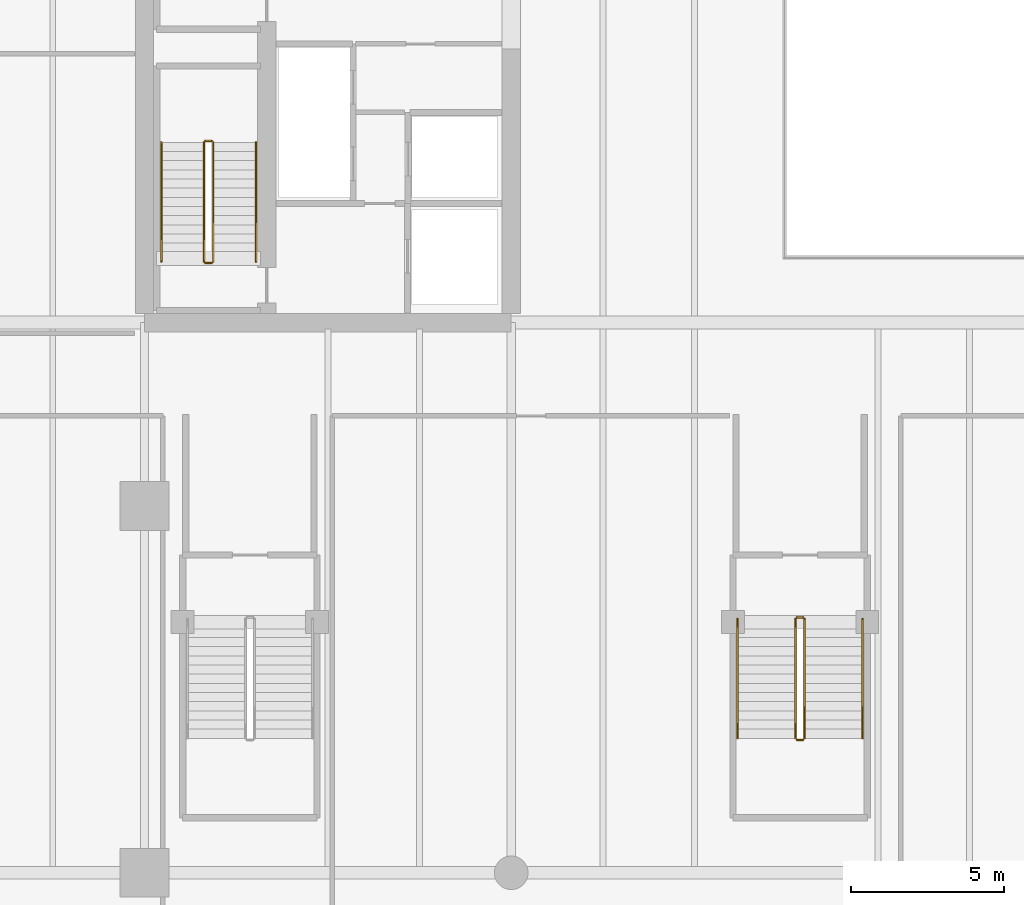
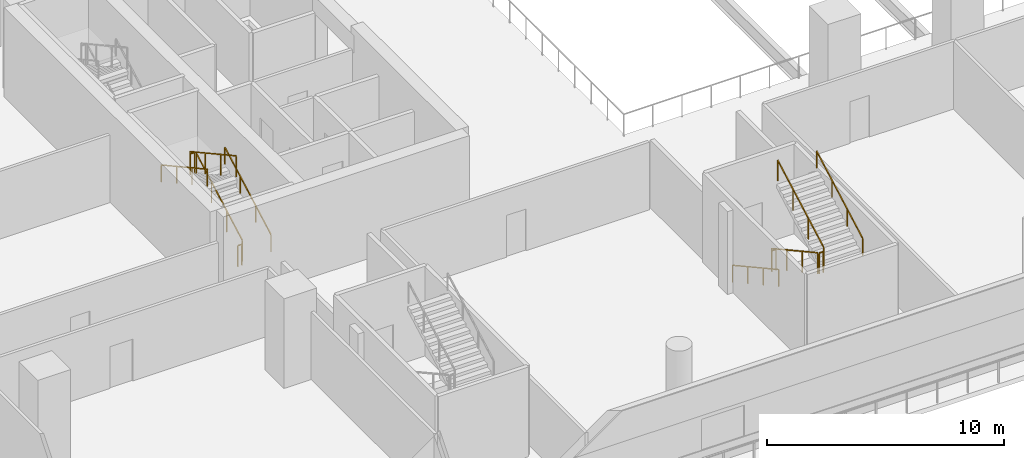
# One storey, part 15 of 27: 12 railings.
"""IFC4 building model written with IfcOpenShell, lengths in metres."""

from ifc_helpers import new_model, si_unit, direction, frame, origin, place, context, subcontext, project, spatial, rectangle, extrude, material, type_object, element, save


model = new_model("IFC4")

# Units and contexts
model_context = context("Model", 3, precision=1e-05, world=origin(), true_north=direction((0.0, 1.0)))
body_context = subcontext(model_context, "Body", "Model", "MODEL_VIEW")
ifc_project = project(units=[si_unit("LENGTHUNIT", "METRE"), si_unit("AREAUNIT", "SQUARE_METRE"), si_unit("VOLUMEUNIT", "CUBIC_METRE"), si_unit("PLANEANGLEUNIT", "RADIAN"), si_unit("MASSUNIT", "GRAM", prefix="KILO")], contexts=[model_context])

# Site, building, storey
site_placement = place(None, origin())
site = spatial("IfcSite", under=ifc_project, at=site_placement, CompositionType="ELEMENT")
building_placement = place(site_placement, origin())
building = spatial("IfcBuilding", under=site, at=building_placement, Name="Tanjung Sevakor Pilgrim Tower", CompositionType="ELEMENT")
storey_placement = place(building_placement, frame((0.0, 0.0, 19.469970703125)))
storey = spatial("IfcBuildingStorey", under=building, at=storey_placement, Name="L05", CompositionType="ELEMENT", Elevation=19.469970703125)

# Railings
ifc_material_1 = material(Name="Steel S355J2", Category="steel")
railing_type_1 = type_object("IfcRailingType", Name="RL-STAIR-GUARD", PredefinedType="GUARDRAIL", material=ifc_material_1)
railing_1_placement = place(storey_placement, frame((26.25, 26.60009765625, 0.1650390625)))
element("IfcRailing", 1, at=railing_1_placement, inside=storey, type_object=railing_type_1, Name="L05 TS-W1 stair guard 1", PredefinedType="GUARDRAIL", context=body_context, shape_type="SweptSolid", body=[
    extrude(rectangle(XDim=0.0479, YDim=0.0479), frame((0.0, 0.0, 1.076171875), z_axis=(0.0, 0.876208959939, 0.481931383625), x_axis=(-1.0, 0.0, 0.0)), (0.0, 0.0, 1.0), 4.450927734375),
    extrude(rectangle(XDim=0.042, YDim=0.042), origin(), (0.0, 0.0, 1.0), 1.052001953125),
    extrude(rectangle(XDim=0.042, YDim=0.042), frame((0.0, 1.300048828125, 0.715087890625)), (0.0, 0.0, 1.0), 1.052001953125),
    extrude(rectangle(XDim=0.042, YDim=0.042), frame((0.0, 2.599853515625, 1.429931640625)), (0.0, 0.0, 1.0), 1.052001953125),
    extrude(rectangle(XDim=0.042, YDim=0.042), frame((0.0, 3.89990234375, 2.14501953125)), (0.0, 0.0, 1.0), 1.052001953125),
])
railing_2_placement = place(storey_placement, frame((26.199951171875, 30.550048828125, 2.31005859375)))
element("IfcRailing", 2, at=railing_2_placement, inside=storey, type_object=railing_type_1, Name="L05 TS-W1 stair guard 2", PredefinedType="GUARDRAIL", context=body_context, shape_type="SweptSolid", body=[
    extrude(rectangle(XDim=0.0479, YDim=0.0479), frame((0.0, 0.0, 1.076171875), z_axis=(-1.0, 0.0, 0.0), x_axis=(0.0, -1.0, 0.0)), (0.0, 0.0, 1.0), 0.199951171875),
    extrude(rectangle(XDim=0.042, YDim=0.042), origin(), (0.0, 0.0, 1.0), 1.052001953125),
    extrude(rectangle(XDim=0.042, YDim=0.042), frame((-0.199951171875, 0.0, 0.0)), (0.0, 0.0, 1.0), 1.052001953125),
])
railing_3_placement = place(storey_placement, frame((25.949951171875, 30.5, 2.47509765625)))
element("IfcRailing", 3, at=railing_3_placement, inside=storey, type_object=railing_type_1, Name="L05 TS-W1 stair guard 3", PredefinedType="GUARDRAIL", context=body_context, shape_type="SweptSolid", body=[
    extrude(rectangle(XDim=0.0479, YDim=0.0479), frame((0.0, 0.0, 1.076171875), z_axis=(0.0, -0.876208959939, 0.481931383625), x_axis=(1.0, 0.0, 0.0)), (0.0, 0.0, 1.0), 4.450927734375),
    extrude(rectangle(XDim=0.042, YDim=0.042), origin(), (0.0, 0.0, 1.0), 1.052001953125),
    extrude(rectangle(XDim=0.042, YDim=0.042), frame((0.0, -1.300048828125, 0.715087890625)), (0.0, 0.0, 1.0), 1.052001953125),
    extrude(rectangle(XDim=0.042, YDim=0.042), frame((0.0, -2.599853515625, 1.429931640625)), (0.0, 0.0, 1.0), 1.052001953125),
    extrude(rectangle(XDim=0.042, YDim=0.042), frame((0.0, -3.89990234375, 2.14501953125)), (0.0, 0.0, 1.0), 1.052001953125),
])
railing_4_placement = place(storey_placement, frame((26.199951171875, 26.550048828125, 0.0)))
element("IfcRailing", 4, at=railing_4_placement, inside=storey, type_object=railing_type_1, Name="L05 TS-W1 stair guard 4", PredefinedType="GUARDRAIL", context=body_context, shape_type="SweptSolid", body=[
    extrude(rectangle(XDim=0.0479, YDim=0.0479), frame((0.0, 0.0, 1.076171875), z_axis=(-1.0, 0.0, 0.0), x_axis=(0.0, -1.0, 0.0)), (0.0, 0.0, 1.0), 0.199951171875),
    extrude(rectangle(XDim=0.042, YDim=0.042), origin(), (0.0, 0.0, 1.0), 1.052001953125),
    extrude(rectangle(XDim=0.042, YDim=0.042), frame((-0.199951171875, 0.0, 0.0)), (0.0, 0.0, 1.0), 1.052001953125),
])
railing_5_placement = place(storey_placement, frame((45.300048828125, 14.89990234375, 0.1650390625)))
element("IfcRailing", 5, at=railing_5_placement, inside=storey, type_object=railing_type_1, Name="L05 PS-3 stair guard 1", PredefinedType="GUARDRAIL", context=body_context, shape_type="SweptSolid", body=[
    extrude(rectangle(XDim=0.0479, YDim=0.0479), frame((0.0, 0.0, 1.076171875), z_axis=(0.0, -0.876208959939, 0.481931383625), x_axis=(1.0, 0.0, 0.0)), (0.0, 0.0, 1.0), 4.450927734375),
    extrude(rectangle(XDim=0.042, YDim=0.042), origin(), (0.0, 0.0, 1.0), 1.052001953125),
    extrude(rectangle(XDim=0.042, YDim=0.042), frame((0.0, -1.300048828125, 0.715087890625)), (0.0, 0.0, 1.0), 1.052001953125),
    extrude(rectangle(XDim=0.042, YDim=0.042), frame((0.0, -2.599853515625, 1.429931640625)), (0.0, 0.0, 1.0), 1.052001953125),
    extrude(rectangle(XDim=0.042, YDim=0.042), frame((0.0, -3.89990234375, 2.14501953125)), (0.0, 0.0, 1.0), 1.052001953125),
])
railing_6_placement = place(storey_placement, frame((45.35009765625, 10.949951171875, 2.31005859375)))
element("IfcRailing", 6, at=railing_6_placement, inside=storey, type_object=railing_type_1, Name="L05 PS-3 stair guard 2", PredefinedType="GUARDRAIL", context=body_context, shape_type="SweptSolid", body=[
    extrude(rectangle(XDim=0.0479, YDim=0.0479), frame((0.0, 0.0, 1.076171875), z_axis=(1.0, 0.0, 0.0), x_axis=(0.0, 1.0, 0.0)), (0.0, 0.0, 1.0), 0.199951171875),
    extrude(rectangle(XDim=0.042, YDim=0.042), origin(), (0.0, 0.0, 1.0), 1.052001953125),
    extrude(rectangle(XDim=0.042, YDim=0.042), frame((0.199951171875, 0.0, 0.0)), (0.0, 0.0, 1.0), 1.052001953125),
])
railing_7_placement = place(storey_placement, frame((45.60009765625, 11.0, 2.47509765625)))
element("IfcRailing", 7, at=railing_7_placement, inside=storey, type_object=railing_type_1, Name="L05 PS-3 stair guard 3", PredefinedType="GUARDRAIL", context=body_context, shape_type="SweptSolid", body=[
    extrude(rectangle(XDim=0.0479, YDim=0.0479), frame((0.0, 0.0, 1.076171875), z_axis=(0.0, 0.876208959939, 0.481931383625), x_axis=(-1.0, 0.0, 0.0)), (0.0, 0.0, 1.0), 4.450927734375),
    extrude(rectangle(XDim=0.042, YDim=0.042), origin(), (0.0, 0.0, 1.0), 1.052001953125),
    extrude(rectangle(XDim=0.042, YDim=0.042), frame((0.0, 1.300048828125, 0.715087890625)), (0.0, 0.0, 1.0), 1.052001953125),
    extrude(rectangle(XDim=0.042, YDim=0.042), frame((0.0, 2.599853515625, 1.429931640625)), (0.0, 0.0, 1.0), 1.052001953125),
    extrude(rectangle(XDim=0.042, YDim=0.042), frame((0.0, 3.89990234375, 2.14501953125)), (0.0, 0.0, 1.0), 1.052001953125),
])
railing_8_placement = place(storey_placement, frame((45.35009765625, 14.949951171875, 0.0)))
element("IfcRailing", 8, at=railing_8_placement, inside=storey, type_object=railing_type_1, Name="L05 PS-3 stair guard 4", PredefinedType="GUARDRAIL", context=body_context, shape_type="SweptSolid", body=[
    extrude(rectangle(XDim=0.0479, YDim=0.0479), frame((0.0, 0.0, 1.076171875), z_axis=(1.0, 0.0, 0.0), x_axis=(0.0, 1.0, 0.0)), (0.0, 0.0, 1.0), 0.199951171875),
    extrude(rectangle(XDim=0.042, YDim=0.042), origin(), (0.0, 0.0, 1.0), 1.052001953125),
    extrude(rectangle(XDim=0.042, YDim=0.042), frame((0.199951171875, 0.0, 0.0)), (0.0, 0.0, 1.0), 1.052001953125),
])
ifc_material_2 = material(Name="Steel S355J2", Category="steel")
railing_type_2 = type_object("IfcRailingType", Name="RL-STAIR-HAND", PredefinedType="HANDRAIL", material=ifc_material_2)
railing_9_placement = place(storey_placement, frame((27.64990234375, 26.60009765625, 0.1650390625)))
element("IfcRailing", 9, at=railing_9_placement, inside=storey, type_object=railing_type_2, Name="L05 TS-W1 stair handrail 1", PredefinedType="HANDRAIL", context=body_context, shape_type="SweptSolid", body=[
    extrude(rectangle(XDim=0.0479, YDim=0.0479), frame((0.0, 0.0, 0.8759765625), z_axis=(0.0, 0.876208959939, 0.481931383625), x_axis=(-1.0, 0.0, 0.0)), (0.0, 0.0, 1.0), 4.450927734375),
    extrude(rectangle(XDim=0.042, YDim=0.042), origin(), (0.0, 0.0, 1.0), 0.851806640625),
    extrude(rectangle(XDim=0.042, YDim=0.042), frame((0.0, 1.300048828125, 0.715087890625)), (0.0, 0.0, 1.0), 0.851806640625),
    extrude(rectangle(XDim=0.042, YDim=0.042), frame((0.0, 2.599853515625, 1.429931640625)), (0.0, 0.0, 1.0), 0.851806640625),
    extrude(rectangle(XDim=0.042, YDim=0.042), frame((0.0, 3.89990234375, 2.14501953125)), (0.0, 0.0, 1.0), 0.851806640625),
])
for number, where, name in (
    (10, (24.550048828125, 30.5, 2.47509765625), "L05 TS-W1 stair handrail 2"),
    (11, (43.39990234375, 14.89990234375, 0.1650390625), "L05 PS-3 stair handrail 1"),
):
    element("IfcRailing", number, at=place(storey_placement, frame(where)), inside=storey, type_object=railing_type_2, Name=name, PredefinedType="HANDRAIL", context=body_context, shape_type="SweptSolid", body=[
        extrude(rectangle(XDim=0.0479, YDim=0.0479), frame((0.0, 0.0, 0.8759765625), z_axis=(0.0, -0.876208959939, 0.481931383625), x_axis=(1.0, 0.0, 0.0)), (0.0, 0.0, 1.0), 4.450927734375),
        extrude(rectangle(XDim=0.042, YDim=0.042), origin(), (0.0, 0.0, 1.0), 0.851806640625),
        extrude(rectangle(XDim=0.042, YDim=0.042), frame((0.0, -1.300048828125, 0.715087890625)), (0.0, 0.0, 1.0), 0.851806640625),
        extrude(rectangle(XDim=0.042, YDim=0.042), frame((0.0, -2.599853515625, 1.429931640625)), (0.0, 0.0, 1.0), 0.851806640625),
        extrude(rectangle(XDim=0.042, YDim=0.042), frame((0.0, -3.89990234375, 2.14501953125)), (0.0, 0.0, 1.0), 0.851806640625),
    ])
railing_10_placement = place(storey_placement, frame((47.5, 11.0, 2.47509765625)))
element("IfcRailing", 12, at=railing_10_placement, inside=storey, type_object=railing_type_2, Name="L05 PS-3 stair handrail 2", PredefinedType="HANDRAIL", context=body_context, shape_type="SweptSolid", body=[
    extrude(rectangle(XDim=0.0479, YDim=0.0479), frame((0.0, 0.0, 0.8759765625), z_axis=(0.0, 0.876208959939, 0.481931383625), x_axis=(-1.0, 0.0, 0.0)), (0.0, 0.0, 1.0), 4.450927734375),
    extrude(rectangle(XDim=0.042, YDim=0.042), origin(), (0.0, 0.0, 1.0), 0.851806640625),
    extrude(rectangle(XDim=0.042, YDim=0.042), frame((0.0, 1.300048828125, 0.715087890625)), (0.0, 0.0, 1.0), 0.851806640625),
    extrude(rectangle(XDim=0.042, YDim=0.042), frame((0.0, 2.599853515625, 1.429931640625)), (0.0, 0.0, 1.0), 0.851806640625),
    extrude(rectangle(XDim=0.042, YDim=0.042), frame((0.0, 3.89990234375, 2.14501953125)), (0.0, 0.0, 1.0), 0.851806640625),
])

save(model, "model.ifc")
